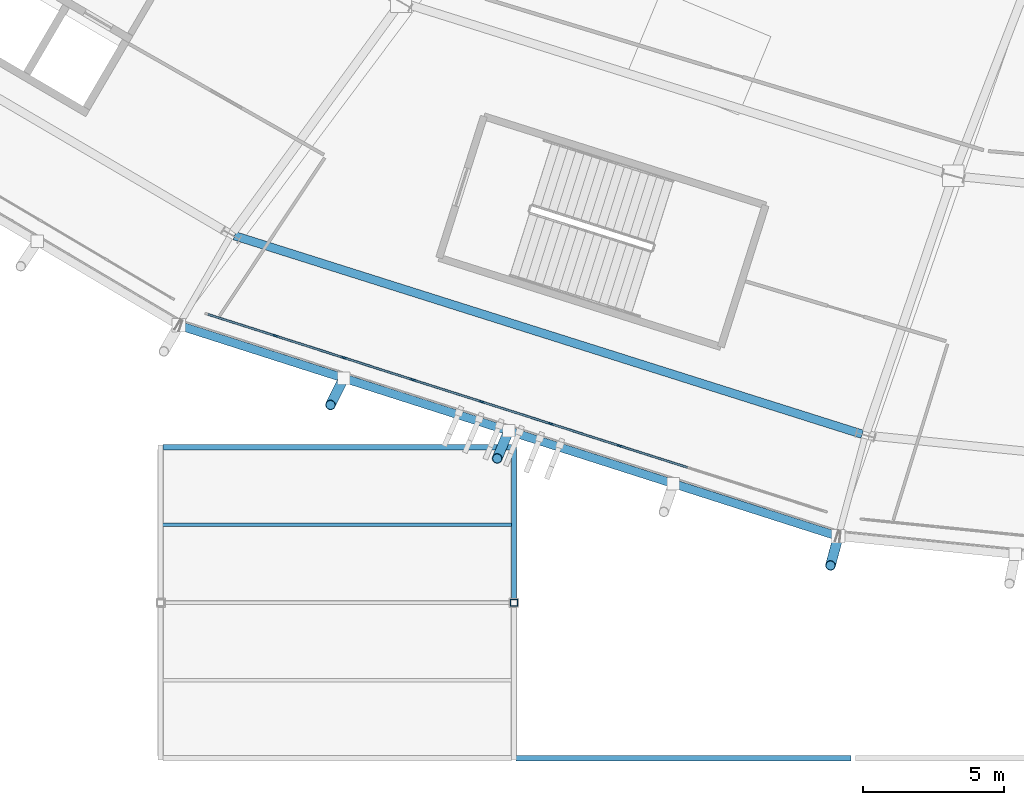
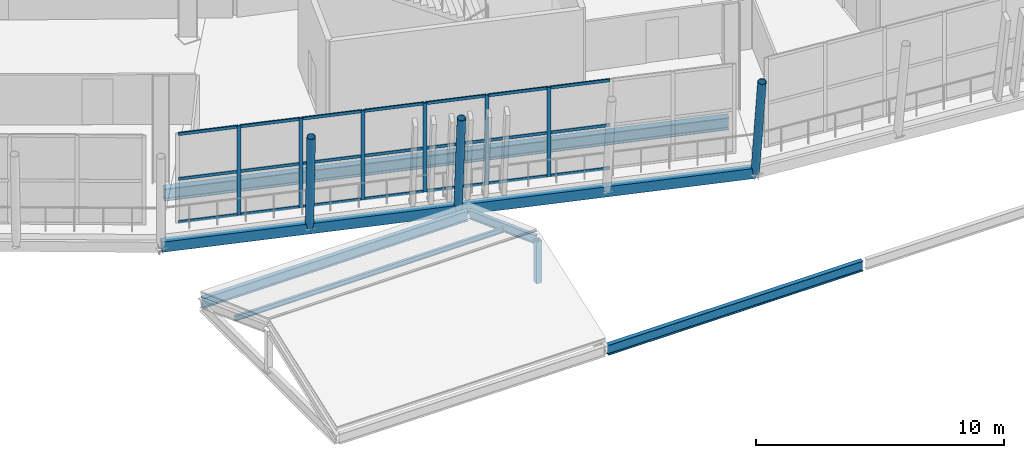
# One storey, part 29 of 168: 33 members, 4 beams, 1 element without a shape of its own.
"""IFC4 building model written with IfcOpenShell, lengths in metres."""

from ifc_helpers import new_model, si_unit, direction, frame, origin, origin_2d, place, context, subcontext, project, spatial, rectangle, hollow_rectangle, hollow_circle, i_section, extrude, material, material_profile, profile_set, type_object, element, aggregate, save


model = new_model("IFC4")

# Units and contexts
model_context = context("Model", 3, precision=1e-05, world=origin(), true_north=direction((0.0, 1.0)))
body_context = subcontext(model_context, "Body", "Model", "MODEL_VIEW")
ifc_project = project(units=[si_unit("LENGTHUNIT", "METRE"), si_unit("AREAUNIT", "SQUARE_METRE"), si_unit("VOLUMEUNIT", "CUBIC_METRE"), si_unit("PLANEANGLEUNIT", "RADIAN"), si_unit("MASSUNIT", "GRAM", prefix="KILO")], contexts=[model_context])

# Site, building, storey
site_placement = place(None, origin())
site = spatial("IfcSite", under=ifc_project, at=site_placement, CompositionType="ELEMENT")
building_placement = place(site_placement, origin())
building = spatial("IfcBuilding", under=site, at=building_placement, Name="Zlatoyarsky Gate Stadium", CompositionType="ELEMENT")
storey_placement = place(building_placement, frame((0.0, 0.0, 15.60009765625)))
storey = spatial("IfcBuildingStorey", under=building, at=storey_placement, Name="L03", CompositionType="ELEMENT", Elevation=15.60009765625)

# Curtain wall, members
ifc_material_1 = material(Name="Thermally broken anodised aluminium curtain wall", Category="aluminium")
curtain_wall_type = type_object("IfcCurtainWallType", Name="UNITISED CORPORATE BOX GLAZING L03", PredefinedType="USERDEFINED", material=ifc_material_1)
curtain_wall_placement = place(storey_placement, origin())
curtain_wall = element("IfcCurtainWall", 1, at=curtain_wall_placement, inside=storey, type_object=curtain_wall_type, Name="Curtain wall CW-L03-16", ObjectType="UNITISED GLAZING", PredefinedType="USERDEFINED")
ifc_material_2 = material(Name="Anodised aluminium 6063-T6", Category="aluminium")
ifc_material_profile_1 = material_profile(ifc_material_2, rectangle(XDim=0.06494140625, YDim=0.159912109375, at=origin_2d()), Name="ALU 65X160")
ifc_profile_set_1 = profile_set([ifc_material_profile_1], Name="Anodised aluminium 6063-T6")
member_type_1 = type_object("IfcMemberType", Name="ALUMINIUM MULLION 65X160", PredefinedType="MULLION", material=ifc_profile_set_1)
member_1_placement = place(storey_placement, frame((66.05322265625, 14.93701171875, 0.0), z_axis=(0.0, 0.0, 1.0), x_axis=(0.304162129597, 0.952620280552, 0.0)))
member_1 = element("IfcMember", 2, at=member_1_placement, type_object=member_type_1, Name="CW-UG3 mullion 2", PredefinedType="MULLION", context=body_context, shape_type="SweptSolid", body=[
    extrude(rectangle(XDim=0.06494140625, YDim=0.159912109375, at=origin_2d()), origin(), (0.0, 0.0, 1.0), 4.3798828125),
])
member_2_placement = place(storey_placement, frame((68.48828125, 14.159423828125, 0.0), z_axis=(0.0, 0.0, 1.0), x_axis=(0.304162129597, 0.952620280552, 0.0)))
member_2 = element("IfcMember", 3, at=member_2_placement, type_object=member_type_1, Name="CW-UG3 mullion 3", PredefinedType="MULLION", context=body_context, shape_type="SweptSolid", body=[
    extrude(rectangle(XDim=0.06494140625, YDim=0.159912109375, at=origin_2d()), origin(), (0.0, 0.0, 1.0), 4.3798828125),
])
member_3_placement = place(storey_placement, frame((70.92333984375, 13.382080078125, 0.0), z_axis=(0.0, 0.0, 1.0), x_axis=(0.304162129597, 0.952620280552, 0.0)))
member_3 = element("IfcMember", 4, at=member_3_placement, type_object=member_type_1, Name="CW-UG3 mullion 4", PredefinedType="MULLION", context=body_context, shape_type="SweptSolid", body=[
    extrude(rectangle(XDim=0.06494140625, YDim=0.159912109375, at=origin_2d()), origin(), (0.0, 0.0, 1.0), 4.3798828125),
])
member_4_placement = place(storey_placement, frame((73.3583984375, 12.6044921875, 0.0), z_axis=(0.0, 0.0, 1.0), x_axis=(0.304162129597, 0.952620280552, 0.0)))
member_4 = element("IfcMember", 5, at=member_4_placement, type_object=member_type_1, Name="CW-UG3 mullion 5", PredefinedType="MULLION", context=body_context, shape_type="SweptSolid", body=[
    extrude(rectangle(XDim=0.06494140625, YDim=0.159912109375, at=origin_2d()), origin(), (0.0, 0.0, 1.0), 4.3798828125),
])
member_5_placement = place(storey_placement, frame((75.79345703125, 11.8271484375, 0.0), z_axis=(0.0, 0.0, 1.0), x_axis=(0.304162129597, 0.952620280552, 0.0)))
member_5 = element("IfcMember", 6, at=member_5_placement, type_object=member_type_1, Name="CW-UG3 mullion 6", PredefinedType="MULLION", context=body_context, shape_type="SweptSolid", body=[
    extrude(rectangle(XDim=0.06494140625, YDim=0.159912109375, at=origin_2d()), origin(), (0.0, 0.0, 1.0), 4.3798828125),
])
member_6_placement = place(storey_placement, frame((78.228515625, 11.049560546875, 0.0), z_axis=(0.0, 0.0, 1.0), x_axis=(0.304162129597, 0.952620280552, 0.0)))
member_6 = element("IfcMember", 7, at=member_6_placement, type_object=member_type_1, Name="CW-UG3 mullion 7", PredefinedType="MULLION", context=body_context, shape_type="SweptSolid", body=[
    extrude(rectangle(XDim=0.06494140625, YDim=0.159912109375, at=origin_2d()), origin(), (0.0, 0.0, 1.0), 4.3798828125),
])
ifc_material_profile_2 = material_profile(ifc_material_2, rectangle(XDim=0.06494140625, YDim=0.139892578125, at=origin_2d()), Name="ALU 65X140")
ifc_profile_set_2 = profile_set([ifc_material_profile_2], Name="Anodised aluminium 6063-T6")
member_type_2 = type_object("IfcMemberType", Name="ALUMINIUM TRANSOM 65X140", PredefinedType="USERDEFINED", material=ifc_profile_set_2)
member_7_placement = place(storey_placement, frame((63.679931640625, 15.69482421875, 0.032470703125), z_axis=(0.952599226387, -0.304228062294, 0.0), x_axis=(0.304228062294, 0.952599226387, 0.0)))
member_7 = element("IfcMember", 8, at=member_7_placement, type_object=member_type_2, Name="CW-UG3 transom 1.1", ObjectType="TRANSOM", PredefinedType="USERDEFINED", context=body_context, shape_type="SweptSolid", body=[
    extrude(rectangle(XDim=0.06494140625, YDim=0.139892578125, at=origin_2d()), origin(), (0.0, 0.0, 1.0), 2.458740234375),
])
member_8_placement = place(storey_placement, frame((63.679931640625, 15.69482421875, 2.14990234375), z_axis=(0.952599226387, -0.304228062294, 0.0), x_axis=(0.304228062294, 0.952599226387, 0.0)))
member_8 = element("IfcMember", 9, at=member_8_placement, type_object=member_type_2, Name="CW-UG3 transom 1.2", ObjectType="TRANSOM", PredefinedType="USERDEFINED", context=body_context, shape_type="SweptSolid", body=[
    extrude(rectangle(XDim=0.06494140625, YDim=0.139892578125, at=origin_2d()), origin(), (0.0, 0.0, 1.0), 2.458740234375),
])
member_9_placement = place(storey_placement, frame((63.679931640625, 15.69482421875, 4.347412109375), z_axis=(0.952599226387, -0.304228062294, 0.0), x_axis=(0.304228062294, 0.952599226387, 0.0)))
member_9 = element("IfcMember", 10, at=member_9_placement, type_object=member_type_2, Name="CW-UG3 transom 1.3", ObjectType="TRANSOM", PredefinedType="USERDEFINED", context=body_context, shape_type="SweptSolid", body=[
    extrude(rectangle(XDim=0.06494140625, YDim=0.139892578125, at=origin_2d()), origin(), (0.0, 0.0, 1.0), 2.458740234375),
])
member_10_placement = place(storey_placement, frame((66.084228515625, 14.92724609375, 0.032470703125), z_axis=(0.95260604701, -0.304206704724, 0.0), x_axis=(0.304206704724, 0.95260604701, 0.0)))
member_10 = element("IfcMember", 11, at=member_10_placement, type_object=member_type_2, Name="CW-UG3 transom 2.1", ObjectType="TRANSOM", PredefinedType="USERDEFINED", context=body_context, shape_type="SweptSolid", body=[
    extrude(rectangle(XDim=0.06494140625, YDim=0.139892578125, at=origin_2d()), origin(), (0.0, 0.0, 1.0), 2.4912109375),
])
member_11_placement = place(storey_placement, frame((66.084228515625, 14.92724609375, 2.14990234375), z_axis=(0.95260604701, -0.304206704724, 0.0), x_axis=(0.304206704724, 0.95260604701, 0.0)))
member_11 = element("IfcMember", 12, at=member_11_placement, type_object=member_type_2, Name="CW-UG3 transom 2.2", ObjectType="TRANSOM", PredefinedType="USERDEFINED", context=body_context, shape_type="SweptSolid", body=[
    extrude(rectangle(XDim=0.06494140625, YDim=0.139892578125, at=origin_2d()), origin(), (0.0, 0.0, 1.0), 2.4912109375),
])
member_12_placement = place(storey_placement, frame((66.084228515625, 14.92724609375, 4.347412109375), z_axis=(0.95260604701, -0.304206704724, 0.0), x_axis=(0.304206704724, 0.95260604701, 0.0)))
member_12 = element("IfcMember", 13, at=member_12_placement, type_object=member_type_2, Name="CW-UG3 transom 2.3", ObjectType="TRANSOM", PredefinedType="USERDEFINED", context=body_context, shape_type="SweptSolid", body=[
    extrude(rectangle(XDim=0.06494140625, YDim=0.139892578125, at=origin_2d()), origin(), (0.0, 0.0, 1.0), 2.4912109375),
])
member_13_placement = place(storey_placement, frame((68.519287109375, 14.149658203125, 0.032470703125), z_axis=(0.95260604701, -0.304206704724, 0.0), x_axis=(0.304206704724, 0.95260604701, 0.0)))
member_13 = element("IfcMember", 14, at=member_13_placement, type_object=member_type_2, Name="CW-UG3 transom 3.1", ObjectType="TRANSOM", PredefinedType="USERDEFINED", context=body_context, shape_type="SweptSolid", body=[
    extrude(rectangle(XDim=0.06494140625, YDim=0.139892578125, at=origin_2d()), origin(), (0.0, 0.0, 1.0), 2.4912109375),
])
member_14_placement = place(storey_placement, frame((68.519287109375, 14.149658203125, 2.14990234375), z_axis=(0.95260604701, -0.304206704724, 0.0), x_axis=(0.304206704724, 0.95260604701, 0.0)))
member_14 = element("IfcMember", 15, at=member_14_placement, type_object=member_type_2, Name="CW-UG3 transom 3.2", ObjectType="TRANSOM", PredefinedType="USERDEFINED", context=body_context, shape_type="SweptSolid", body=[
    extrude(rectangle(XDim=0.06494140625, YDim=0.139892578125, at=origin_2d()), origin(), (0.0, 0.0, 1.0), 2.4912109375),
])
member_15_placement = place(storey_placement, frame((68.519287109375, 14.149658203125, 4.347412109375), z_axis=(0.95260604701, -0.304206704724, 0.0), x_axis=(0.304206704724, 0.95260604701, 0.0)))
member_15 = element("IfcMember", 16, at=member_15_placement, type_object=member_type_2, Name="CW-UG3 transom 3.3", ObjectType="TRANSOM", PredefinedType="USERDEFINED", context=body_context, shape_type="SweptSolid", body=[
    extrude(rectangle(XDim=0.06494140625, YDim=0.139892578125, at=origin_2d()), origin(), (0.0, 0.0, 1.0), 2.4912109375),
])
member_16_placement = place(storey_placement, frame((70.954345703125, 13.3720703125, 0.032470703125), z_axis=(0.952634444414, -0.304117765537, 0.0), x_axis=(0.304117765537, 0.952634444414, 0.0)))
member_16 = element("IfcMember", 17, at=member_16_placement, type_object=member_type_2, Name="CW-UG3 transom 4.1", ObjectType="TRANSOM", PredefinedType="USERDEFINED", context=body_context, shape_type="SweptSolid", body=[
    extrude(rectangle(XDim=0.06494140625, YDim=0.139892578125, at=origin_2d()), origin(), (0.0, 0.0, 1.0), 2.490966796875),
])
member_17_placement = place(storey_placement, frame((70.954345703125, 13.3720703125, 2.14990234375), z_axis=(0.952634444414, -0.304117765537, 0.0), x_axis=(0.304117765537, 0.952634444414, 0.0)))
member_17 = element("IfcMember", 18, at=member_17_placement, type_object=member_type_2, Name="CW-UG3 transom 4.2", ObjectType="TRANSOM", PredefinedType="USERDEFINED", context=body_context, shape_type="SweptSolid", body=[
    extrude(rectangle(XDim=0.06494140625, YDim=0.139892578125, at=origin_2d()), origin(), (0.0, 0.0, 1.0), 2.490966796875),
])
member_18_placement = place(storey_placement, frame((70.954345703125, 13.3720703125, 4.347412109375), z_axis=(0.952634444414, -0.304117765537, 0.0), x_axis=(0.304117765537, 0.952634444414, 0.0)))
member_18 = element("IfcMember", 19, at=member_18_placement, type_object=member_type_2, Name="CW-UG3 transom 4.3", ObjectType="TRANSOM", PredefinedType="USERDEFINED", context=body_context, shape_type="SweptSolid", body=[
    extrude(rectangle(XDim=0.06494140625, YDim=0.139892578125, at=origin_2d()), origin(), (0.0, 0.0, 1.0), 2.490966796875),
])
member_19_placement = place(storey_placement, frame((73.389404296875, 12.5947265625, 0.032470703125), z_axis=(0.95260604701, -0.304206704724, 0.0), x_axis=(0.304206704724, 0.95260604701, 0.0)))
member_19 = element("IfcMember", 20, at=member_19_placement, type_object=member_type_2, Name="CW-UG3 transom 5.1", ObjectType="TRANSOM", PredefinedType="USERDEFINED", context=body_context, shape_type="SweptSolid", body=[
    extrude(rectangle(XDim=0.06494140625, YDim=0.139892578125, at=origin_2d()), origin(), (0.0, 0.0, 1.0), 2.4912109375),
])
member_20_placement = place(storey_placement, frame((73.389404296875, 12.5947265625, 2.14990234375), z_axis=(0.95260604701, -0.304206704724, 0.0), x_axis=(0.304206704724, 0.95260604701, 0.0)))
member_20 = element("IfcMember", 21, at=member_20_placement, type_object=member_type_2, Name="CW-UG3 transom 5.2", ObjectType="TRANSOM", PredefinedType="USERDEFINED", context=body_context, shape_type="SweptSolid", body=[
    extrude(rectangle(XDim=0.06494140625, YDim=0.139892578125, at=origin_2d()), origin(), (0.0, 0.0, 1.0), 2.4912109375),
])
member_21_placement = place(storey_placement, frame((73.389404296875, 12.5947265625, 4.347412109375), z_axis=(0.95260604701, -0.304206704724, 0.0), x_axis=(0.304206704724, 0.95260604701, 0.0)))
member_21 = element("IfcMember", 22, at=member_21_placement, type_object=member_type_2, Name="CW-UG3 transom 5.3", ObjectType="TRANSOM", PredefinedType="USERDEFINED", context=body_context, shape_type="SweptSolid", body=[
    extrude(rectangle(XDim=0.06494140625, YDim=0.139892578125, at=origin_2d()), origin(), (0.0, 0.0, 1.0), 2.4912109375),
])
member_22_placement = place(storey_placement, frame((75.82421875, 11.817138671875, 0.032470703125), z_axis=(0.95264350764, -0.304089373954, 0.0), x_axis=(0.304089373954, 0.95264350764, 0.0)))
member_22 = element("IfcMember", 23, at=member_22_placement, type_object=member_type_2, Name="CW-UG3 transom 6.1", ObjectType="TRANSOM", PredefinedType="USERDEFINED", context=body_context, shape_type="SweptSolid", body=[
    extrude(rectangle(XDim=0.06494140625, YDim=0.139892578125, at=origin_2d()), origin(), (0.0, 0.0, 1.0), 2.4912109375),
])
member_23_placement = place(storey_placement, frame((75.82421875, 11.817138671875, 2.14990234375), z_axis=(0.95264350764, -0.304089373954, 0.0), x_axis=(0.304089373954, 0.95264350764, 0.0)))
member_23 = element("IfcMember", 24, at=member_23_placement, type_object=member_type_2, Name="CW-UG3 transom 6.2", ObjectType="TRANSOM", PredefinedType="USERDEFINED", context=body_context, shape_type="SweptSolid", body=[
    extrude(rectangle(XDim=0.06494140625, YDim=0.139892578125, at=origin_2d()), origin(), (0.0, 0.0, 1.0), 2.4912109375),
])
member_24_placement = place(storey_placement, frame((75.82421875, 11.817138671875, 4.347412109375), z_axis=(0.95264350764, -0.304089373954, 0.0), x_axis=(0.304089373954, 0.95264350764, 0.0)))
member_24 = element("IfcMember", 25, at=member_24_placement, type_object=member_type_2, Name="CW-UG3 transom 6.3", ObjectType="TRANSOM", PredefinedType="USERDEFINED", context=body_context, shape_type="SweptSolid", body=[
    extrude(rectangle(XDim=0.06494140625, YDim=0.139892578125, at=origin_2d()), origin(), (0.0, 0.0, 1.0), 2.4912109375),
])
member_25_placement = place(storey_placement, frame((78.25927734375, 11.039794921875, 0.032470703125), z_axis=(0.952615115267, -0.304178306531, 0.0), x_axis=(0.304178306531, 0.952615115267, 0.0)))
member_25 = element("IfcMember", 26, at=member_25_placement, type_object=member_type_2, Name="CW-UG3 transom 7.1", ObjectType="TRANSOM", PredefinedType="USERDEFINED", context=body_context, shape_type="SweptSolid", body=[
    extrude(rectangle(XDim=0.06494140625, YDim=0.139892578125, at=origin_2d()), origin(), (0.0, 0.0, 1.0), 2.491455078125),
])
member_26_placement = place(storey_placement, frame((78.25927734375, 11.039794921875, 2.14990234375), z_axis=(0.952615115267, -0.304178306531, 0.0), x_axis=(0.304178306531, 0.952615115267, 0.0)))
member_26 = element("IfcMember", 27, at=member_26_placement, type_object=member_type_2, Name="CW-UG3 transom 7.2", ObjectType="TRANSOM", PredefinedType="USERDEFINED", context=body_context, shape_type="SweptSolid", body=[
    extrude(rectangle(XDim=0.06494140625, YDim=0.139892578125, at=origin_2d()), origin(), (0.0, 0.0, 1.0), 2.491455078125),
])
member_27_placement = place(storey_placement, frame((78.25927734375, 11.039794921875, 4.347412109375), z_axis=(0.952615115267, -0.304178306531, 0.0), x_axis=(0.304178306531, 0.952615115267, 0.0)))
member_27 = element("IfcMember", 28, at=member_27_placement, type_object=member_type_2, Name="CW-UG3 transom 7.3", ObjectType="TRANSOM", PredefinedType="USERDEFINED", context=body_context, shape_type="SweptSolid", body=[
    extrude(rectangle(XDim=0.06494140625, YDim=0.139892578125, at=origin_2d()), origin(), (0.0, 0.0, 1.0), 2.491455078125),
])
aggregate(curtain_wall, [member_1, member_2, member_3, member_4, member_5, member_6, member_7, member_8, member_9, member_10, member_11, member_12, member_13, member_14, member_15, member_16, member_17, member_18, member_19, member_20, member_21, member_22, member_23, member_24, member_25, member_26, member_27])

# Beams
ifc_material_3 = material(Name="Steel S355", Category="steel")
ifc_material_profile_3 = material_profile(ifc_material_3, i_section(OverallWidth=0.199951171875, OverallDepth=0.5, WebThickness=0.01025390625, FlangeThickness=0.01611328125, FilletRadius=0.02099609375, at=origin_2d()), Name="IPE 500")
ifc_profile_set_3 = profile_set([ifc_material_profile_3], Name="Steel S355")
beam_type_1 = type_object("IfcBeamType", Name="STEEL FLOOR BEAM IPE 500", PredefinedType="BEAM", material=ifc_profile_set_3)
beam_1_placement = place(storey_placement, frame((62.080078125, 11.0, -0.530029296875), z_axis=(1.0, 0.0, 0.0), x_axis=(0.0, 1.0, 0.0)))
element("IfcBeam", 29, at=beam_1_placement, inside=storey, type_object=beam_type_1, Name="Beam B-IPE500 BM-L03-WGX-6-B", PredefinedType="BEAM", context=body_context, shape_type="SweptSolid", body=[
    extrude(i_section(OverallWidth=0.199951171875, OverallDepth=0.5, WebThickness=0.01025390625, FlangeThickness=0.01611328125, FilletRadius=0.02099609375, at=origin_2d()), origin(), (0.0, 0.0, 1.0), 12.33984375),
])
beam_2_placement = place(storey_placement, frame((74.580078125, 0.0, -0.530029296875), z_axis=(1.0, 0.0, 0.0), x_axis=(0.0, 1.0, 0.0)))
element("IfcBeam", 30, at=beam_2_placement, inside=storey, type_object=beam_type_1, Name="Beam B-IPE500 BM-L03-WGX-7-A", PredefinedType="BEAM", context=body_context, shape_type="SweptSolid", body=[
    extrude(i_section(OverallWidth=0.199951171875, OverallDepth=0.5, WebThickness=0.01025390625, FlangeThickness=0.01611328125, FilletRadius=0.02099609375, at=origin_2d()), origin(), (0.0, 0.0, 1.0), 11.83984375),
])

# Members
ifc_material_profile_4 = material_profile(ifc_material_3, hollow_circle(Radius=0.177734375, WallThickness=0.02001953125, at=origin_2d()), Name="CHS 355.6X20")
ifc_profile_set_4 = profile_set([ifc_material_profile_4], Name="Steel S355")
member_type_3 = type_object("IfcMemberType", Name="STEEL LEANING RIB RING STRUT CHS 355.6X20", PredefinedType="STRUT", material=ifc_profile_set_4)
member_28_placement = place(storey_placement, frame((85.9716796875, 7.84326171875, -0.580078125), z_axis=(-0.052255516288, -0.194942619511, 0.979421633473), x_axis=(0.965900058049, -0.258915194343, 0.0)))
element("IfcMember", 31, at=member_28_placement, inside=storey, type_object=member_type_3, Name="Leaning ring strut 17 L03 to L04", PredefinedType="STRUT", context=body_context, shape_type="SweptSolid", body=[
    extrude(hollow_circle(Radius=0.177734375, WallThickness=0.02001953125, at=origin_2d()), origin(), (0.0, 0.0, 1.0), 5.288818359375),
])
member_29_placement = place(storey_placement, frame((68.4794921875, 13.440185546875, -0.530029296875), z_axis=(-0.088747235311, -0.179849366045, 0.979682669928), x_axis=(0.896763250695, -0.442510646428, 0.0)))
element("IfcMember", 32, at=member_29_placement, inside=storey, type_object=member_type_3, Name="Outward-leaning bowl louvre fin rib L03 16-1", PredefinedType="STRUT", context=body_context, shape_type="SweptSolid", body=[
    extrude(hollow_circle(Radius=0.177734375, WallThickness=0.02001953125, at=origin_2d()), origin(), (0.0, 0.0, 1.0), 5.287353515625),
])
member_30_placement = place(storey_placement, frame((74.310302734375, 11.57470703125, -0.530029296875), z_axis=(-0.076609308782, -0.184942906373, 0.97975871274), x_axis=(0.923873441445, -0.382698137168, 0.0)))
element("IfcMember", 33, at=member_30_placement, inside=storey, type_object=member_type_3, Name="Outward-leaning bowl louvre fin rib L03 16-2", PredefinedType="STRUT", context=body_context, shape_type="SweptSolid", body=[
    extrude(hollow_circle(Radius=0.177734375, WallThickness=0.02001953125, at=origin_2d()), origin(), (0.0, 0.0, 1.0), 5.286865234375),
])

# Beam
ifc_material_profile_5 = material_profile(ifc_material_3, hollow_rectangle(XDim=0.300048828125, YDim=0.5, WallThickness=0.02001953125, at=origin_2d()), Name="RHS 500X300X20")
ifc_profile_set_5 = profile_set([ifc_material_profile_5], Name="Steel S355")
beam_type_2 = type_object("IfcBeamType", Name="STEEL LOUVRE CARRIER SPANDREL RHS 500X300X20", PredefinedType="SPANDREL", material=ifc_profile_set_5)
beam_3_placement = place(storey_placement, frame((62.66796875, 15.2998046875, -0.530029296875), z_axis=(0.952431915611, -0.304751449752, 0.0), x_axis=(0.304751449752, 0.952431915611, 0.0)))
element("IfcBeam", 34, at=beam_3_placement, inside=storey, type_object=beam_type_2, Name="Beam SP-RHS500 BM-L03-SPD-16", PredefinedType="SPANDREL", context=body_context, shape_type="SweptSolid", body=[
    extrude(hollow_rectangle(XDim=0.300048828125, YDim=0.5, WallThickness=0.02001953125, at=origin_2d()), origin(), (0.0, 0.0, 1.0), 24.447509765625),
])

# Members
ifc_material_profile_6 = material_profile(ifc_material_3, i_section(OverallWidth=0.1201171875, OverallDepth=0.239990234375, WebThickness=0.006103515625, FlangeThickness=0.009765625, FilletRadius=0.014892578125, at=origin_2d()), Name="IPE 240")
ifc_profile_set_6 = profile_set([ifc_material_profile_6], Name="Steel S355")
member_type_4 = type_object("IfcMemberType", Name="STEEL PAVILION ROOF PURLIN IPE 240", PredefinedType="PURLIN", material=ifc_profile_set_6)
member_31_placement = place(storey_placement, frame((62.0, 8.25, 0.385009765625), z_axis=(1.0, 0.0, 0.0), x_axis=(0.0, 1.0, 0.0)))
element("IfcMember", 35, at=member_31_placement, inside=storey, type_object=member_type_4, Name="V3_SOUTH_W roof purlin 1N", PredefinedType="PURLIN", context=body_context, shape_type="SweptSolid", body=[
    extrude(i_section(OverallWidth=0.1201171875, OverallDepth=0.239990234375, WebThickness=0.006103515625, FlangeThickness=0.009765625, FilletRadius=0.014892578125, at=origin_2d()), origin(), (0.0, 0.0, 1.0), 12.5),
])
ifc_material_profile_7 = material_profile(ifc_material_3, i_section(OverallWidth=0.179931640625, OverallDepth=0.39990234375, WebThickness=0.008544921875, FlangeThickness=0.013427734375, FilletRadius=0.02099609375, at=origin_2d()), Name="IPE 400")
ifc_profile_set_7 = profile_set([ifc_material_profile_7], Name="Steel S355")
member_type_5 = type_object("IfcMemberType", Name="STEEL PAVILION ROOF RAFTER IPE 400", PredefinedType="RAFTER", material=ifc_profile_set_7)
member_32_placement = place(storey_placement, frame((74.5, 11.0, -0.5), z_axis=(0.0, -0.937038350514, 0.349226473318), x_axis=(1.0, 0.0, 0.0)))
element("IfcMember", 36, at=member_32_placement, inside=storey, type_object=member_type_5, Name="V3_SOUTH_W roof rafter 2B", PredefinedType="RAFTER", context=body_context, shape_type="SweptSolid", body=[
    extrude(i_section(OverallWidth=0.179931640625, OverallDepth=0.39990234375, WebThickness=0.008544921875, FlangeThickness=0.013427734375, FilletRadius=0.02099609375, at=origin_2d()), origin(), (0.0, 0.0, 1.0), 5.86962890625),
])
ifc_material_profile_8 = material_profile(ifc_material_3, hollow_rectangle(XDim=0.25, YDim=0.25, WallThickness=0.01611328125, at=origin_2d()), Name="SHS 250X250X16")
ifc_profile_set_8 = profile_set([ifc_material_profile_8], Name="Steel S355")
member_type_6 = type_object("IfcMemberType", Name="STEEL PAVILION TRUSS STRUT SHS 250X250X16", PredefinedType="STRUT", material=ifc_profile_set_8)
member_33_placement = place(storey_placement, frame((74.5, 5.5, -0.530029296875), z_axis=(0.0, 0.0, 1.0), x_axis=(1.0, 0.0, 0.0)))
element("IfcMember", 37, at=member_33_placement, inside=storey, type_object=member_type_6, Name="V3_SOUTH_W king post strut 2", PredefinedType="STRUT", context=body_context, shape_type="SweptSolid", body=[
    extrude(hollow_rectangle(XDim=0.25, YDim=0.25, WallThickness=0.01611328125, at=origin_2d()), origin(), (0.0, 0.0, 1.0), 2.079833984375),
])

# Beam
ifc_material_profile_9 = material_profile(ifc_material_3, i_section(OverallWidth=0.300048828125, OverallDepth=0.60009765625, WebThickness=0.015380859375, FlangeThickness=0.030029296875, FilletRadius=0.027099609375, at=origin_2d()), Name="HEB 600")
ifc_profile_set_9 = profile_set([ifc_material_profile_9], Name="Steel S355")
beam_type_3 = type_object("IfcBeamType", Name="STEEL PRIMARY GIRDER HEB 600", PredefinedType="BEAM", material=ifc_profile_set_9)
beam_4_placement = place(storey_placement, frame((64.614501953125, 18.47607421875, -0.580078125), z_axis=(0.953463107403, -0.301509706015, 0.0), x_axis=(0.301509706015, 0.953463107403, 0.0)))
element("IfcBeam", 38, at=beam_4_placement, inside=storey, type_object=beam_type_3, Name="Beam G-HEB600 BM-L03-CRC-16", PredefinedType="BEAM", context=body_context, shape_type="SweptSolid", body=[
    extrude(i_section(OverallWidth=0.300048828125, OverallDepth=0.60009765625, WebThickness=0.015380859375, FlangeThickness=0.030029296875, FilletRadius=0.027099609375, at=origin_2d()), origin(), (0.0, 0.0, 1.0), 23.284423828125),
])

save(model, "model.ifc")
